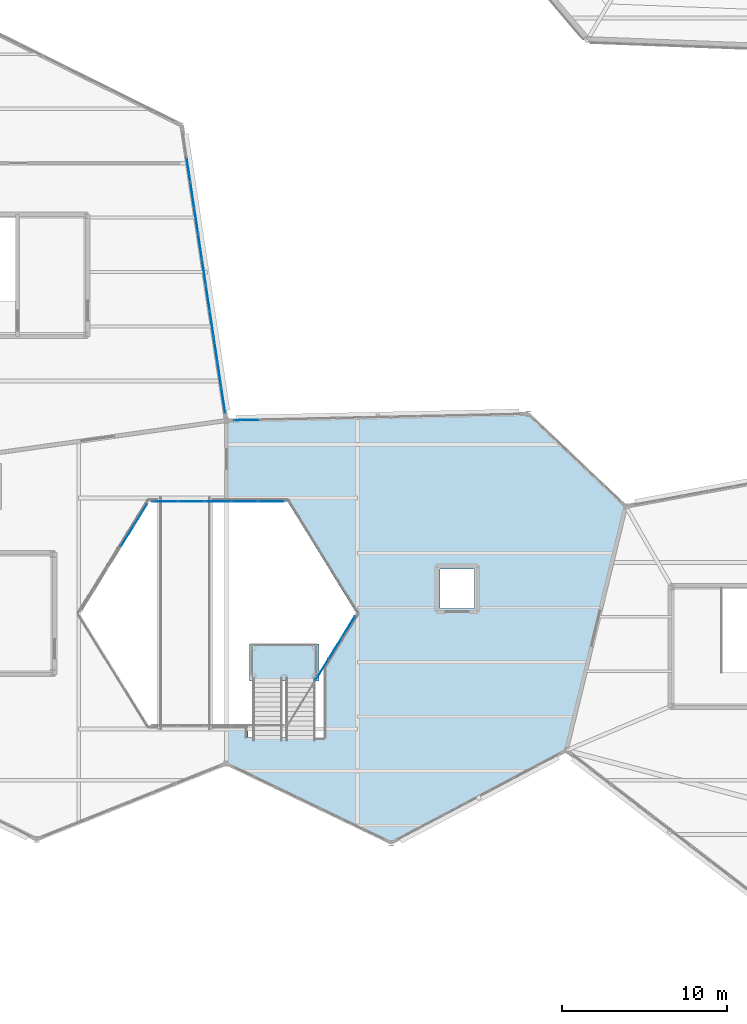
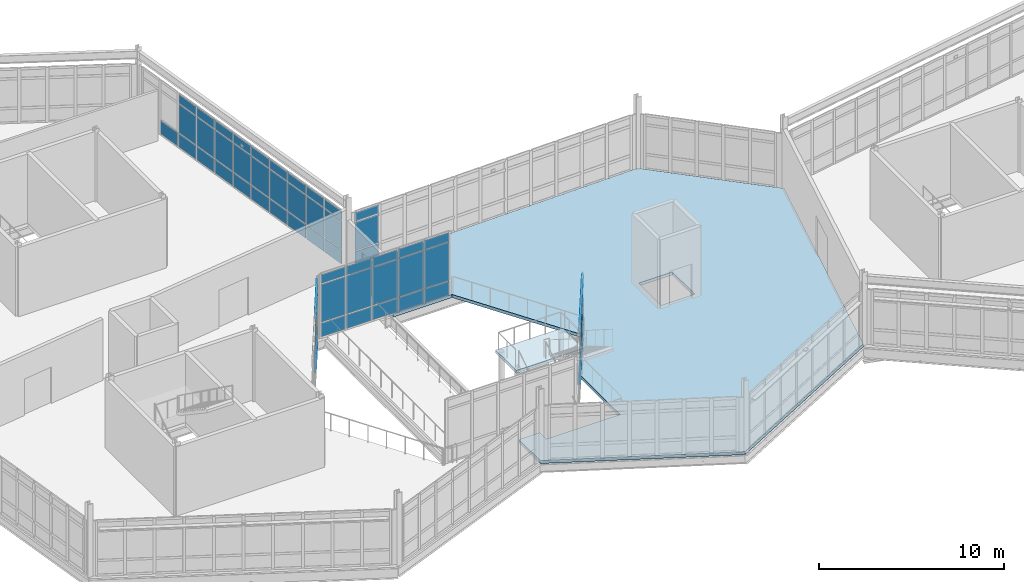
# One storey, part 48 of 76: 61 plates, 2 slabs, 6 elements without a shape of their own.
"""IFC4 building model written with IfcOpenShell, lengths in metres."""

from ifc_helpers import new_model, si_unit, direction, frame, origin, origin_2d, place, context, subcontext, project, spatial, polyline, rectangle, outline, extrude, material, layer, layer_set, type_object, element, aggregate, save


model = new_model("IFC4")

# Units and contexts
model_context = context("Model", 3, precision=1e-05, world=origin(), true_north=direction((0.0, 1.0)))
body_context = subcontext(model_context, "Body", "Model", "MODEL_VIEW")
ifc_project = project(units=[si_unit("LENGTHUNIT", "METRE"), si_unit("AREAUNIT", "SQUARE_METRE"), si_unit("VOLUMEUNIT", "CUBIC_METRE"), si_unit("PLANEANGLEUNIT", "RADIAN"), si_unit("MASSUNIT", "GRAM", prefix="KILO")], contexts=[model_context])

# Site, building, storey
site_placement = place(None, origin())
site = spatial("IfcSite", under=ifc_project, at=site_placement, CompositionType="ELEMENT")
building_placement = place(site_placement, origin())
building = spatial("IfcBuilding", under=site, at=building_placement, Name="Tameran Prism Museum", CompositionType="ELEMENT")
storey_placement = place(building_placement, frame((0.0, 0.0, 15.0)))
storey = spatial("IfcBuildingStorey", under=building, at=storey_placement, Name="L03", CompositionType="ELEMENT", Elevation=15.0)

# Curtain wall, plates
ifc_material_1 = material(Name="Anodised Aluminium 6063-T6 and Cyclone Solar Glass", Category="aluminium")
curtain_wall_type_1 = type_object("IfcCurtainWallType", Name="CW-ATR-769x424", PredefinedType="USERDEFINED", material=ifc_material_1)
curtain_wall_1_placement = place(storey_placement, origin())
curtain_wall_1 = element("IfcCurtainWall", 1, at=curtain_wall_1_placement, inside=storey, type_object=curtain_wall_type_1, Name="Unitised Curtain Wall CW-012", ObjectType="UNITISED CURTAIN WALL", PredefinedType="USERDEFINED")
ifc_material_2 = material(Name="Low-E Laminated Solar Glass", Category="glass")
ifc_layer_1 = layer(ifc_material_2, 0.028076171875)
ifc_layer_set_1 = layer_set([ifc_layer_1])
plate_type_1 = type_object("IfcPlateType", Name="CW-PNL-G28", PredefinedType="CURTAIN_PANEL", material=ifc_layer_set_1)
plate_1_placement = place(storey_placement, frame((83.300048828125, 33.10009765625, 0.06494140625), z_axis=(0.0, 0.0, 1.0), x_axis=(0.525503952357, 0.850791158897, 0.0)))
plate_1 = element("IfcPlate", 2, at=plate_1_placement, type_object=plate_type_1, Name="CW-012 panel 3.1", PredefinedType="CURTAIN_PANEL", context=body_context, shape_type="SweptSolid", body=[
    extrude(rectangle(XDim=1.473388671875, YDim=0.028076171875, at=origin_2d()), origin(), (0.0, 0.0, 1.0), 0.902587890625),
])
plate_2_placement = place(storey_placement, frame((83.300048828125, 33.10009765625, 1.032470703125), z_axis=(0.0, 0.0, 1.0), x_axis=(0.525503952357, 0.850791158897, 0.0)))
plate_2 = element("IfcPlate", 3, at=plate_2_placement, type_object=plate_type_1, Name="CW-012 panel 3.2", PredefinedType="CURTAIN_PANEL", context=body_context, shape_type="SweptSolid", body=[
    extrude(rectangle(XDim=1.473388671875, YDim=0.028076171875, at=origin_2d()), origin(), (0.0, 0.0, 1.0), 2.4951171875),
])
plate_3_placement = place(storey_placement, frame((83.300048828125, 33.10009765625, 3.592529296875), z_axis=(0.0, 0.0, 1.0), x_axis=(0.525503952357, 0.850791158897, 0.0)))
plate_3 = element("IfcPlate", 4, at=plate_3_placement, type_object=plate_type_1, Name="CW-012 panel 3.3", PredefinedType="CURTAIN_PANEL", context=body_context, shape_type="SweptSolid", body=[
    extrude(rectangle(XDim=1.473388671875, YDim=0.028076171875, at=origin_2d()), origin(), (0.0, 0.0, 1.0), 0.58251953125),
])
plate_4_placement = place(storey_placement, frame((84.1083984375, 34.40869140625, 0.06494140625), z_axis=(0.0, 0.0, 1.0), x_axis=(0.525503952357, 0.850791158897, 0.0)))
plate_4 = element("IfcPlate", 5, at=plate_4_placement, type_object=plate_type_1, Name="CW-012 panel 4.1", PredefinedType="CURTAIN_PANEL", context=body_context, shape_type="SweptSolid", body=[
    extrude(rectangle(XDim=1.473388671875, YDim=0.028076171875, at=origin_2d()), origin(), (0.0, 0.0, 1.0), 0.902587890625),
])
plate_5_placement = place(storey_placement, frame((84.1083984375, 34.40869140625, 1.032470703125), z_axis=(0.0, 0.0, 1.0), x_axis=(0.525503952357, 0.850791158897, 0.0)))
plate_5 = element("IfcPlate", 6, at=plate_5_placement, type_object=plate_type_1, Name="CW-012 panel 4.2", PredefinedType="CURTAIN_PANEL", context=body_context, shape_type="SweptSolid", body=[
    extrude(rectangle(XDim=1.473388671875, YDim=0.028076171875, at=origin_2d()), origin(), (0.0, 0.0, 1.0), 2.4951171875),
])
plate_6_placement = place(storey_placement, frame((84.1083984375, 34.40869140625, 3.592529296875), z_axis=(0.0, 0.0, 1.0), x_axis=(0.525503952357, 0.850791158897, 0.0)))
plate_6 = element("IfcPlate", 7, at=plate_6_placement, type_object=plate_type_1, Name="CW-012 panel 4.3", PredefinedType="CURTAIN_PANEL", context=body_context, shape_type="SweptSolid", body=[
    extrude(rectangle(XDim=1.473388671875, YDim=0.028076171875, at=origin_2d()), origin(), (0.0, 0.0, 1.0), 0.58251953125),
])
plate_7_placement = place(storey_placement, frame((84.908203125, 35.703857421875, 0.06494140625), z_axis=(0.0, 0.0, 1.0), x_axis=(0.525503952357, 0.850791158897, 0.0)))
plate_7 = element("IfcPlate", 8, at=plate_7_placement, type_object=plate_type_1, Name="CW-012 panel 5.1", PredefinedType="CURTAIN_PANEL", context=body_context, shape_type="SweptSolid", body=[
    extrude(rectangle(XDim=1.44091796875, YDim=0.028076171875, at=origin_2d()), origin(), (0.0, 0.0, 1.0), 0.902587890625),
])
plate_8_placement = place(storey_placement, frame((84.908203125, 35.703857421875, 1.032470703125), z_axis=(0.0, 0.0, 1.0), x_axis=(0.525503952357, 0.850791158897, 0.0)))
plate_8 = element("IfcPlate", 9, at=plate_8_placement, type_object=plate_type_1, Name="CW-012 panel 5.2", PredefinedType="CURTAIN_PANEL", context=body_context, shape_type="SweptSolid", body=[
    extrude(rectangle(XDim=1.44091796875, YDim=0.028076171875, at=origin_2d()), origin(), (0.0, 0.0, 1.0), 2.4951171875),
])
plate_9_placement = place(storey_placement, frame((84.908203125, 35.703857421875, 3.592529296875), z_axis=(0.0, 0.0, 1.0), x_axis=(0.525503952357, 0.850791158897, 0.0)))
plate_9 = element("IfcPlate", 10, at=plate_9_placement, type_object=plate_type_1, Name="CW-012 panel 5.3", PredefinedType="CURTAIN_PANEL", context=body_context, shape_type="SweptSolid", body=[
    extrude(rectangle(XDim=1.44091796875, YDim=0.028076171875, at=origin_2d()), origin(), (0.0, 0.0, 1.0), 0.58251953125),
])
aggregate(curtain_wall_1, [plate_1, plate_2, plate_3, plate_4, plate_5, plate_6, plate_7, plate_8, plate_9])

ifc_material_3 = material(Name="Anodised Aluminium 6063-T6 and Cyclone Solar Glass", Category="aluminium")
curtain_wall_type_2 = type_object("IfcCurtainWallType", Name="CW-ATR-810x424", PredefinedType="USERDEFINED", material=ifc_material_3)
curtain_wall_2_placement = place(storey_placement, origin())
curtain_wall_2 = element("IfcCurtainWall", 11, at=curtain_wall_2_placement, inside=storey, type_object=curtain_wall_type_2, Name="Unitised Curtain Wall CW-013", ObjectType="UNITISED CURTAIN WALL", PredefinedType="USERDEFINED")
plate_10_placement = place(storey_placement, frame((80.2236328125, 43.300048828125, 0.06494140625), z_axis=(0.0, 0.0, 1.0), x_axis=(-1.0, 0.0, 0.0)))
plate_10 = element("IfcPlate", 12, at=plate_10_placement, type_object=plate_type_1, Name="CW-013 panel 1.1", PredefinedType="CURTAIN_PANEL", context=body_context, shape_type="SweptSolid", body=[
    extrude(rectangle(XDim=1.5224609375, YDim=0.028076171875, at=origin_2d()), origin(), (0.0, 0.0, 1.0), 0.902587890625),
])
plate_11_placement = place(storey_placement, frame((80.2236328125, 43.300048828125, 1.032470703125), z_axis=(0.0, 0.0, 1.0), x_axis=(-1.0, 0.0, 0.0)))
plate_11 = element("IfcPlate", 13, at=plate_11_placement, type_object=plate_type_1, Name="CW-013 panel 1.2", PredefinedType="CURTAIN_PANEL", context=body_context, shape_type="SweptSolid", body=[
    extrude(rectangle(XDim=1.5224609375, YDim=0.028076171875, at=origin_2d()), origin(), (0.0, 0.0, 1.0), 2.4951171875),
])
plate_12_placement = place(storey_placement, frame((80.2236328125, 43.300048828125, 3.592529296875), z_axis=(0.0, 0.0, 1.0), x_axis=(-1.0, 0.0, 0.0)))
plate_12 = element("IfcPlate", 14, at=plate_12_placement, type_object=plate_type_1, Name="CW-013 panel 1.3", PredefinedType="CURTAIN_PANEL", context=body_context, shape_type="SweptSolid", body=[
    extrude(rectangle(XDim=1.5224609375, YDim=0.028076171875, at=origin_2d()), origin(), (0.0, 0.0, 1.0), 0.58251953125),
])
plate_13_placement = place(storey_placement, frame((78.6201171875, 43.300048828125, 0.06494140625), z_axis=(0.0, 0.0, 1.0), x_axis=(-1.0, 0.0, 0.0)))
plate_13 = element("IfcPlate", 15, at=plate_13_placement, type_object=plate_type_1, Name="CW-013 panel 2.1", PredefinedType="CURTAIN_PANEL", context=body_context, shape_type="SweptSolid", body=[
    extrude(rectangle(XDim=1.554931640625, YDim=0.028076171875, at=origin_2d()), origin(), (0.0, 0.0, 1.0), 0.902587890625),
])
plate_14_placement = place(storey_placement, frame((78.6201171875, 43.300048828125, 1.032470703125), z_axis=(0.0, 0.0, 1.0), x_axis=(-1.0, 0.0, 0.0)))
plate_14 = element("IfcPlate", 16, at=plate_14_placement, type_object=plate_type_1, Name="CW-013 panel 2.2", PredefinedType="CURTAIN_PANEL", context=body_context, shape_type="SweptSolid", body=[
    extrude(rectangle(XDim=1.554931640625, YDim=0.028076171875, at=origin_2d()), origin(), (0.0, 0.0, 1.0), 2.4951171875),
])
plate_15_placement = place(storey_placement, frame((78.6201171875, 43.300048828125, 3.592529296875), z_axis=(0.0, 0.0, 1.0), x_axis=(-1.0, 0.0, 0.0)))
plate_15 = element("IfcPlate", 17, at=plate_15_placement, type_object=plate_type_1, Name="CW-013 panel 2.3", PredefinedType="CURTAIN_PANEL", context=body_context, shape_type="SweptSolid", body=[
    extrude(rectangle(XDim=1.554931640625, YDim=0.028076171875, at=origin_2d()), origin(), (0.0, 0.0, 1.0), 0.58251953125),
])
plate_16_placement = place(storey_placement, frame((77.0, 43.300048828125, 0.06494140625), z_axis=(0.0, 0.0, 1.0), x_axis=(-1.0, 0.0, 0.0)))
plate_16 = element("IfcPlate", 18, at=plate_16_placement, type_object=plate_type_1, Name="CW-013 panel 3.1", PredefinedType="CURTAIN_PANEL", context=body_context, shape_type="SweptSolid", body=[
    extrude(rectangle(XDim=1.554931640625, YDim=0.028076171875, at=origin_2d()), origin(), (0.0, 0.0, 1.0), 0.902587890625),
])
plate_17_placement = place(storey_placement, frame((77.0, 43.300048828125, 1.032470703125), z_axis=(0.0, 0.0, 1.0), x_axis=(-1.0, 0.0, 0.0)))
plate_17 = element("IfcPlate", 19, at=plate_17_placement, type_object=plate_type_1, Name="CW-013 panel 3.2", PredefinedType="CURTAIN_PANEL", context=body_context, shape_type="SweptSolid", body=[
    extrude(rectangle(XDim=1.554931640625, YDim=0.028076171875, at=origin_2d()), origin(), (0.0, 0.0, 1.0), 2.4951171875),
])
plate_18_placement = place(storey_placement, frame((77.0, 43.300048828125, 3.592529296875), z_axis=(0.0, 0.0, 1.0), x_axis=(-1.0, 0.0, 0.0)))
plate_18 = element("IfcPlate", 20, at=plate_18_placement, type_object=plate_type_1, Name="CW-013 panel 3.3", PredefinedType="CURTAIN_PANEL", context=body_context, shape_type="SweptSolid", body=[
    extrude(rectangle(XDim=1.554931640625, YDim=0.028076171875, at=origin_2d()), origin(), (0.0, 0.0, 1.0), 0.58251953125),
])
plate_19_placement = place(storey_placement, frame((75.3798828125, 43.300048828125, 0.06494140625), z_axis=(0.0, 0.0, 1.0), x_axis=(-1.0, 0.0, 0.0)))
plate_19 = element("IfcPlate", 21, at=plate_19_placement, type_object=plate_type_1, Name="CW-013 panel 4.1", PredefinedType="CURTAIN_PANEL", context=body_context, shape_type="SweptSolid", body=[
    extrude(rectangle(XDim=1.554931640625, YDim=0.028076171875, at=origin_2d()), origin(), (0.0, 0.0, 1.0), 0.902587890625),
])
plate_20_placement = place(storey_placement, frame((75.3798828125, 43.300048828125, 1.032470703125), z_axis=(0.0, 0.0, 1.0), x_axis=(-1.0, 0.0, 0.0)))
plate_20 = element("IfcPlate", 22, at=plate_20_placement, type_object=plate_type_1, Name="CW-013 panel 4.2", PredefinedType="CURTAIN_PANEL", context=body_context, shape_type="SweptSolid", body=[
    extrude(rectangle(XDim=1.554931640625, YDim=0.028076171875, at=origin_2d()), origin(), (0.0, 0.0, 1.0), 2.4951171875),
])
plate_21_placement = place(storey_placement, frame((75.3798828125, 43.300048828125, 3.592529296875), z_axis=(0.0, 0.0, 1.0), x_axis=(-1.0, 0.0, 0.0)))
plate_21 = element("IfcPlate", 23, at=plate_21_placement, type_object=plate_type_1, Name="CW-013 panel 4.3", PredefinedType="CURTAIN_PANEL", context=body_context, shape_type="SweptSolid", body=[
    extrude(rectangle(XDim=1.554931640625, YDim=0.028076171875, at=origin_2d()), origin(), (0.0, 0.0, 1.0), 0.58251953125),
])
plate_22_placement = place(storey_placement, frame((73.7763671875, 43.300048828125, 0.06494140625), z_axis=(0.0, 0.0, 1.0), x_axis=(-1.0, 0.0, 0.0)))
plate_22 = element("IfcPlate", 24, at=plate_22_placement, type_object=plate_type_1, Name="CW-013 panel 5.1", PredefinedType="CURTAIN_PANEL", context=body_context, shape_type="SweptSolid", body=[
    extrude(rectangle(XDim=1.5224609375, YDim=0.028076171875, at=origin_2d()), origin(), (0.0, 0.0, 1.0), 0.902587890625),
])
plate_23_placement = place(storey_placement, frame((73.7763671875, 43.300048828125, 1.032470703125), z_axis=(0.0, 0.0, 1.0), x_axis=(-1.0, 0.0, 0.0)))
plate_23 = element("IfcPlate", 25, at=plate_23_placement, type_object=plate_type_1, Name="CW-013 panel 5.2", PredefinedType="CURTAIN_PANEL", context=body_context, shape_type="SweptSolid", body=[
    extrude(rectangle(XDim=1.5224609375, YDim=0.028076171875, at=origin_2d()), origin(), (0.0, 0.0, 1.0), 2.4951171875),
])
plate_24_placement = place(storey_placement, frame((73.7763671875, 43.300048828125, 3.592529296875), z_axis=(0.0, 0.0, 1.0), x_axis=(-1.0, 0.0, 0.0)))
plate_24 = element("IfcPlate", 26, at=plate_24_placement, type_object=plate_type_1, Name="CW-013 panel 5.3", PredefinedType="CURTAIN_PANEL", context=body_context, shape_type="SweptSolid", body=[
    extrude(rectangle(XDim=1.5224609375, YDim=0.028076171875, at=origin_2d()), origin(), (0.0, 0.0, 1.0), 0.58251953125),
])
aggregate(curtain_wall_2, [plate_10, plate_11, plate_12, plate_13, plate_14, plate_15, plate_16, plate_17, plate_18, plate_19, plate_20, plate_21, plate_22, plate_23, plate_24])

curtain_wall_3_placement = place(storey_placement, origin())
curtain_wall_3 = element("IfcCurtainWall", 27, at=curtain_wall_3_placement, inside=storey, type_object=curtain_wall_type_1, Name="Unitised Curtain Wall CW-014", ObjectType="UNITISED CURTAIN WALL", PredefinedType="USERDEFINED")
plate_25_placement = place(storey_placement, frame((72.308349609375, 42.503662109375, 0.06494140625), z_axis=(0.0, 0.0, 1.0), x_axis=(-0.525503952357, -0.850791158897, 0.0)))
plate_25 = element("IfcPlate", 28, at=plate_25_placement, type_object=plate_type_1, Name="CW-014 panel 1.1", PredefinedType="CURTAIN_PANEL", context=body_context, shape_type="SweptSolid", body=[
    extrude(rectangle(XDim=1.44091796875, YDim=0.028076171875, at=origin_2d()), origin(), (0.0, 0.0, 1.0), 0.902587890625),
])
plate_26_placement = place(storey_placement, frame((72.308349609375, 42.503662109375, 1.032470703125), z_axis=(0.0, 0.0, 1.0), x_axis=(-0.525503952357, -0.850791158897, 0.0)))
plate_26 = element("IfcPlate", 29, at=plate_26_placement, type_object=plate_type_1, Name="CW-014 panel 1.2", PredefinedType="CURTAIN_PANEL", context=body_context, shape_type="SweptSolid", body=[
    extrude(rectangle(XDim=1.44091796875, YDim=0.028076171875, at=origin_2d()), origin(), (0.0, 0.0, 1.0), 2.4951171875),
])
plate_27_placement = place(storey_placement, frame((72.308349609375, 42.503662109375, 3.592529296875), z_axis=(0.0, 0.0, 1.0), x_axis=(-0.525503952357, -0.850791158897, 0.0)))
plate_27 = element("IfcPlate", 30, at=plate_27_placement, type_object=plate_type_1, Name="CW-014 panel 1.3", PredefinedType="CURTAIN_PANEL", context=body_context, shape_type="SweptSolid", body=[
    extrude(rectangle(XDim=1.44091796875, YDim=0.028076171875, at=origin_2d()), origin(), (0.0, 0.0, 1.0), 0.58251953125),
])
plate_28_placement = place(storey_placement, frame((71.50830078125, 41.208740234375, 0.06494140625), z_axis=(0.0, 0.0, 1.0), x_axis=(-0.525503952357, -0.850791158897, 0.0)))
plate_28 = element("IfcPlate", 31, at=plate_28_placement, type_object=plate_type_1, Name="CW-014 panel 2.1", PredefinedType="CURTAIN_PANEL", context=body_context, shape_type="SweptSolid", body=[
    extrude(rectangle(XDim=1.473388671875, YDim=0.028076171875, at=origin_2d()), origin(), (0.0, 0.0, 1.0), 0.902587890625),
])
plate_29_placement = place(storey_placement, frame((71.50830078125, 41.208740234375, 1.032470703125), z_axis=(0.0, 0.0, 1.0), x_axis=(-0.525503952357, -0.850791158897, 0.0)))
plate_29 = element("IfcPlate", 32, at=plate_29_placement, type_object=plate_type_1, Name="CW-014 panel 2.2", PredefinedType="CURTAIN_PANEL", context=body_context, shape_type="SweptSolid", body=[
    extrude(rectangle(XDim=1.473388671875, YDim=0.028076171875, at=origin_2d()), origin(), (0.0, 0.0, 1.0), 2.4951171875),
])
plate_30_placement = place(storey_placement, frame((71.50830078125, 41.208740234375, 3.592529296875), z_axis=(0.0, 0.0, 1.0), x_axis=(-0.525503952357, -0.850791158897, 0.0)))
plate_30 = element("IfcPlate", 33, at=plate_30_placement, type_object=plate_type_1, Name="CW-014 panel 2.3", PredefinedType="CURTAIN_PANEL", context=body_context, shape_type="SweptSolid", body=[
    extrude(rectangle(XDim=1.473388671875, YDim=0.028076171875, at=origin_2d()), origin(), (0.0, 0.0, 1.0), 0.58251953125),
])
aggregate(curtain_wall_3, [plate_25, plate_26, plate_27, plate_28, plate_29, plate_30])

ifc_material_4 = material(Name="Anodised Aluminium 6063-T6 and Cyclone Solar Glass", Category="aluminium")
curtain_wall_type_3 = type_object("IfcCurtainWallType", Name="CW-FAC-1734x362", PredefinedType="USERDEFINED", material=ifc_material_4)
curtain_wall_4_placement = place(storey_placement, origin())
curtain_wall_4 = element("IfcCurtainWall", 34, at=curtain_wall_4_placement, inside=storey, type_object=curtain_wall_type_3, Name="Unitised Curtain Wall CW-143", ObjectType="UNITISED CURTAIN WALL", PredefinedType="USERDEFINED")
plate_31_placement = place(storey_placement, frame((75.204833984375, 63.41552734375, 0.06494140625), z_axis=(0.0, 0.0, 1.0), x_axis=(0.149166532852, -0.988812088052, 0.0)))
plate_31 = element("IfcPlate", 35, at=plate_31_placement, type_object=plate_type_1, Name="CW-143 panel 2.1", PredefinedType="CURTAIN_PANEL", context=body_context, shape_type="SweptSolid", body=[
    extrude(rectangle(XDim=1.51171875, YDim=0.028076171875, at=origin_2d()), origin(), (0.0, 0.0, 1.0), 0.902587890625),
])
plate_32_placement = place(storey_placement, frame((75.43994140625, 61.8564453125, 0.06494140625), z_axis=(0.0, 0.0, 1.0), x_axis=(0.149166532852, -0.988812088052, 0.0)))
plate_32 = element("IfcPlate", 36, at=plate_32_placement, type_object=plate_type_1, Name="CW-143 panel 3.1", PredefinedType="CURTAIN_PANEL", context=body_context, shape_type="SweptSolid", body=[
    extrude(rectangle(XDim=1.51171875, YDim=0.028076171875, at=origin_2d()), origin(), (0.0, 0.0, 1.0), 0.902587890625),
])
plate_33_placement = place(storey_placement, frame((75.43994140625, 61.8564453125, 1.032470703125), z_axis=(0.0, 0.0, 1.0), x_axis=(0.149166532852, -0.988812088052, 0.0)))
plate_33 = element("IfcPlate", 37, at=plate_33_placement, type_object=plate_type_1, Name="CW-143 panel 3.2", PredefinedType="CURTAIN_PANEL", context=body_context, shape_type="SweptSolid", body=[
    extrude(rectangle(XDim=1.51171875, YDim=0.028076171875, at=origin_2d()), origin(), (0.0, 0.0, 1.0), 1.875),
])
plate_34_placement = place(storey_placement, frame((75.43994140625, 61.8564453125, 2.972412109375), z_axis=(0.0, 0.0, 1.0), x_axis=(0.149166532852, -0.988812088052, 0.0)))
plate_34 = element("IfcPlate", 38, at=plate_34_placement, type_object=plate_type_1, Name="CW-143 panel 3.3", PredefinedType="CURTAIN_PANEL", context=body_context, shape_type="SweptSolid", body=[
    extrude(rectangle(XDim=1.51171875, YDim=0.028076171875, at=origin_2d()), origin(), (0.0, 0.0, 1.0), 0.58251953125),
])
plate_35_placement = place(storey_placement, frame((75.675048828125, 60.297607421875, 0.06494140625), z_axis=(0.0, 0.0, 1.0), x_axis=(0.149166532852, -0.988812088052, 0.0)))
plate_35 = element("IfcPlate", 39, at=plate_35_placement, type_object=plate_type_1, Name="CW-143 panel 4.1", PredefinedType="CURTAIN_PANEL", context=body_context, shape_type="SweptSolid", body=[
    extrude(rectangle(XDim=1.51171875, YDim=0.028076171875, at=origin_2d()), origin(), (0.0, 0.0, 1.0), 0.902587890625),
])
plate_36_placement = place(storey_placement, frame((75.675048828125, 60.297607421875, 1.032470703125), z_axis=(0.0, 0.0, 1.0), x_axis=(0.149166532852, -0.988812088052, 0.0)))
plate_36 = element("IfcPlate", 40, at=plate_36_placement, type_object=plate_type_1, Name="CW-143 panel 4.2", PredefinedType="CURTAIN_PANEL", context=body_context, shape_type="SweptSolid", body=[
    extrude(rectangle(XDim=1.51171875, YDim=0.028076171875, at=origin_2d()), origin(), (0.0, 0.0, 1.0), 1.875),
])
plate_37_placement = place(storey_placement, frame((75.675048828125, 60.297607421875, 2.972412109375), z_axis=(0.0, 0.0, 1.0), x_axis=(0.149166532852, -0.988812088052, 0.0)))
plate_37 = element("IfcPlate", 41, at=plate_37_placement, type_object=plate_type_1, Name="CW-143 panel 4.3", PredefinedType="CURTAIN_PANEL", context=body_context, shape_type="SweptSolid", body=[
    extrude(rectangle(XDim=1.51171875, YDim=0.028076171875, at=origin_2d()), origin(), (0.0, 0.0, 1.0), 0.58251953125),
])
plate_38_placement = place(storey_placement, frame((75.910400390625, 58.738525390625, 0.06494140625), z_axis=(0.0, 0.0, 1.0), x_axis=(0.149166532852, -0.988812088052, 0.0)))
plate_38 = element("IfcPlate", 42, at=plate_38_placement, type_object=plate_type_1, Name="CW-143 panel 5.1", PredefinedType="CURTAIN_PANEL", context=body_context, shape_type="SweptSolid", body=[
    extrude(rectangle(XDim=1.51171875, YDim=0.028076171875, at=origin_2d()), origin(), (0.0, 0.0, 1.0), 0.902587890625),
])
plate_39_placement = place(storey_placement, frame((75.910400390625, 58.738525390625, 1.032470703125), z_axis=(0.0, 0.0, 1.0), x_axis=(0.149166532852, -0.988812088052, 0.0)))
plate_39 = element("IfcPlate", 43, at=plate_39_placement, type_object=plate_type_1, Name="CW-143 panel 5.2", PredefinedType="CURTAIN_PANEL", context=body_context, shape_type="SweptSolid", body=[
    extrude(rectangle(XDim=1.51171875, YDim=0.028076171875, at=origin_2d()), origin(), (0.0, 0.0, 1.0), 1.875),
])
plate_40_placement = place(storey_placement, frame((75.910400390625, 58.738525390625, 2.972412109375), z_axis=(0.0, 0.0, 1.0), x_axis=(0.149166532852, -0.988812088052, 0.0)))
plate_40 = element("IfcPlate", 44, at=plate_40_placement, type_object=plate_type_1, Name="CW-143 panel 5.3", PredefinedType="CURTAIN_PANEL", context=body_context, shape_type="SweptSolid", body=[
    extrude(rectangle(XDim=1.51171875, YDim=0.028076171875, at=origin_2d()), origin(), (0.0, 0.0, 1.0), 0.58251953125),
])
plate_41_placement = place(storey_placement, frame((76.1455078125, 57.179443359375, 0.06494140625), z_axis=(0.0, 0.0, 1.0), x_axis=(0.149166532852, -0.988812088052, 0.0)))
plate_41 = element("IfcPlate", 45, at=plate_41_placement, type_object=plate_type_1, Name="CW-143 panel 6.1", PredefinedType="CURTAIN_PANEL", context=body_context, shape_type="SweptSolid", body=[
    extrude(rectangle(XDim=1.51171875, YDim=0.028076171875, at=origin_2d()), origin(), (0.0, 0.0, 1.0), 0.902587890625),
])
plate_42_placement = place(storey_placement, frame((76.1455078125, 57.179443359375, 1.032470703125), z_axis=(0.0, 0.0, 1.0), x_axis=(0.149166532852, -0.988812088052, 0.0)))
plate_42 = element("IfcPlate", 46, at=plate_42_placement, type_object=plate_type_1, Name="CW-143 panel 6.2", PredefinedType="CURTAIN_PANEL", context=body_context, shape_type="SweptSolid", body=[
    extrude(rectangle(XDim=1.51171875, YDim=0.028076171875, at=origin_2d()), origin(), (0.0, 0.0, 1.0), 1.875),
])
plate_43_placement = place(storey_placement, frame((76.1455078125, 57.179443359375, 2.972412109375), z_axis=(0.0, 0.0, 1.0), x_axis=(0.149166532852, -0.988812088052, 0.0)))
plate_43 = element("IfcPlate", 47, at=plate_43_placement, type_object=plate_type_1, Name="CW-143 panel 6.3", PredefinedType="CURTAIN_PANEL", context=body_context, shape_type="SweptSolid", body=[
    extrude(rectangle(XDim=1.51171875, YDim=0.028076171875, at=origin_2d()), origin(), (0.0, 0.0, 1.0), 0.58251953125),
])
plate_44_placement = place(storey_placement, frame((76.380615234375, 55.62060546875, 0.06494140625), z_axis=(0.0, 0.0, 1.0), x_axis=(0.149166532852, -0.988812088052, 0.0)))
plate_44 = element("IfcPlate", 48, at=plate_44_placement, type_object=plate_type_1, Name="CW-143 panel 7.1", PredefinedType="CURTAIN_PANEL", context=body_context, shape_type="SweptSolid", body=[
    extrude(rectangle(XDim=1.51171875, YDim=0.028076171875, at=origin_2d()), origin(), (0.0, 0.0, 1.0), 0.902587890625),
])
plate_45_placement = place(storey_placement, frame((76.380615234375, 55.62060546875, 1.032470703125), z_axis=(0.0, 0.0, 1.0), x_axis=(0.149166532852, -0.988812088052, 0.0)))
plate_45 = element("IfcPlate", 49, at=plate_45_placement, type_object=plate_type_1, Name="CW-143 panel 7.2", PredefinedType="CURTAIN_PANEL", context=body_context, shape_type="SweptSolid", body=[
    extrude(rectangle(XDim=1.51171875, YDim=0.028076171875, at=origin_2d()), origin(), (0.0, 0.0, 1.0), 1.875),
])
plate_46_placement = place(storey_placement, frame((76.380615234375, 55.62060546875, 2.972412109375), z_axis=(0.0, 0.0, 1.0), x_axis=(0.149166532852, -0.988812088052, 0.0)))
plate_46 = element("IfcPlate", 50, at=plate_46_placement, type_object=plate_type_1, Name="CW-143 panel 7.3", PredefinedType="CURTAIN_PANEL", context=body_context, shape_type="SweptSolid", body=[
    extrude(rectangle(XDim=1.51171875, YDim=0.028076171875, at=origin_2d()), origin(), (0.0, 0.0, 1.0), 0.58251953125),
])
plate_47_placement = place(storey_placement, frame((76.615966796875, 54.0615234375, 0.06494140625), z_axis=(0.0, 0.0, 1.0), x_axis=(0.149166532852, -0.988812088052, 0.0)))
plate_47 = element("IfcPlate", 51, at=plate_47_placement, type_object=plate_type_1, Name="CW-143 panel 8.1", PredefinedType="CURTAIN_PANEL", context=body_context, shape_type="SweptSolid", body=[
    extrude(rectangle(XDim=1.51171875, YDim=0.028076171875, at=origin_2d()), origin(), (0.0, 0.0, 1.0), 0.902587890625),
])
plate_48_placement = place(storey_placement, frame((76.615966796875, 54.0615234375, 1.032470703125), z_axis=(0.0, 0.0, 1.0), x_axis=(0.149166532852, -0.988812088052, 0.0)))
plate_48 = element("IfcPlate", 52, at=plate_48_placement, type_object=plate_type_1, Name="CW-143 panel 8.2", PredefinedType="CURTAIN_PANEL", context=body_context, shape_type="SweptSolid", body=[
    extrude(rectangle(XDim=1.51171875, YDim=0.028076171875, at=origin_2d()), origin(), (0.0, 0.0, 1.0), 1.875),
])
plate_49_placement = place(storey_placement, frame((76.615966796875, 54.0615234375, 2.972412109375), z_axis=(0.0, 0.0, 1.0), x_axis=(0.149166532852, -0.988812088052, 0.0)))
plate_49 = element("IfcPlate", 53, at=plate_49_placement, type_object=plate_type_1, Name="CW-143 panel 8.3", PredefinedType="CURTAIN_PANEL", context=body_context, shape_type="SweptSolid", body=[
    extrude(rectangle(XDim=1.51171875, YDim=0.028076171875, at=origin_2d()), origin(), (0.0, 0.0, 1.0), 0.58251953125),
])
plate_50_placement = place(storey_placement, frame((76.85107421875, 52.50244140625, 0.06494140625), z_axis=(0.0, 0.0, 1.0), x_axis=(0.149166532852, -0.988812088052, 0.0)))
plate_50 = element("IfcPlate", 54, at=plate_50_placement, type_object=plate_type_1, Name="CW-143 panel 9.1", PredefinedType="CURTAIN_PANEL", context=body_context, shape_type="SweptSolid", body=[
    extrude(rectangle(XDim=1.51171875, YDim=0.028076171875, at=origin_2d()), origin(), (0.0, 0.0, 1.0), 0.902587890625),
])
plate_51_placement = place(storey_placement, frame((76.85107421875, 52.50244140625, 1.032470703125), z_axis=(0.0, 0.0, 1.0), x_axis=(0.149166532852, -0.988812088052, 0.0)))
plate_51 = element("IfcPlate", 55, at=plate_51_placement, type_object=plate_type_1, Name="CW-143 panel 9.2", PredefinedType="CURTAIN_PANEL", context=body_context, shape_type="SweptSolid", body=[
    extrude(rectangle(XDim=1.51171875, YDim=0.028076171875, at=origin_2d()), origin(), (0.0, 0.0, 1.0), 1.875),
])
plate_52_placement = place(storey_placement, frame((76.85107421875, 52.50244140625, 2.972412109375), z_axis=(0.0, 0.0, 1.0), x_axis=(0.149166532852, -0.988812088052, 0.0)))
plate_52 = element("IfcPlate", 56, at=plate_52_placement, type_object=plate_type_1, Name="CW-143 panel 9.3", PredefinedType="CURTAIN_PANEL", context=body_context, shape_type="SweptSolid", body=[
    extrude(rectangle(XDim=1.51171875, YDim=0.028076171875, at=origin_2d()), origin(), (0.0, 0.0, 1.0), 0.58251953125),
])
plate_53_placement = place(storey_placement, frame((77.086181640625, 50.943603515625, 0.06494140625), z_axis=(0.0, 0.0, 1.0), x_axis=(0.149166532852, -0.988812088052, 0.0)))
plate_53 = element("IfcPlate", 57, at=plate_53_placement, type_object=plate_type_1, Name="CW-143 panel 10.1", PredefinedType="CURTAIN_PANEL", context=body_context, shape_type="SweptSolid", body=[
    extrude(rectangle(XDim=1.51171875, YDim=0.028076171875, at=origin_2d()), origin(), (0.0, 0.0, 1.0), 0.902587890625),
])
plate_54_placement = place(storey_placement, frame((77.086181640625, 50.943603515625, 1.032470703125), z_axis=(0.0, 0.0, 1.0), x_axis=(0.149166532852, -0.988812088052, 0.0)))
plate_54 = element("IfcPlate", 58, at=plate_54_placement, type_object=plate_type_1, Name="CW-143 panel 10.2", PredefinedType="CURTAIN_PANEL", context=body_context, shape_type="SweptSolid", body=[
    extrude(rectangle(XDim=1.51171875, YDim=0.028076171875, at=origin_2d()), origin(), (0.0, 0.0, 1.0), 1.875),
])
plate_55_placement = place(storey_placement, frame((77.086181640625, 50.943603515625, 2.972412109375), z_axis=(0.0, 0.0, 1.0), x_axis=(0.149166532852, -0.988812088052, 0.0)))
plate_55 = element("IfcPlate", 59, at=plate_55_placement, type_object=plate_type_1, Name="CW-143 panel 10.3", PredefinedType="CURTAIN_PANEL", context=body_context, shape_type="SweptSolid", body=[
    extrude(rectangle(XDim=1.51171875, YDim=0.028076171875, at=origin_2d()), origin(), (0.0, 0.0, 1.0), 0.58251953125),
])
plate_56_placement = place(storey_placement, frame((77.319091796875, 49.400634765625, 0.06494140625), z_axis=(0.0, 0.0, 1.0), x_axis=(0.149166532852, -0.988812088052, 0.0)))
plate_56 = element("IfcPlate", 60, at=plate_56_placement, type_object=plate_type_1, Name="CW-143 panel 11.1", PredefinedType="CURTAIN_PANEL", context=body_context, shape_type="SweptSolid", body=[
    extrude(rectangle(XDim=1.479248046875, YDim=0.028076171875, at=origin_2d()), origin(), (0.0, 0.0, 1.0), 0.902587890625),
])
plate_57_placement = place(storey_placement, frame((77.319091796875, 49.400634765625, 1.032470703125), z_axis=(0.0, 0.0, 1.0), x_axis=(0.149166532852, -0.988812088052, 0.0)))
plate_57 = element("IfcPlate", 61, at=plate_57_placement, type_object=plate_type_1, Name="CW-143 panel 11.2", PredefinedType="CURTAIN_PANEL", context=body_context, shape_type="SweptSolid", body=[
    extrude(rectangle(XDim=1.479248046875, YDim=0.028076171875, at=origin_2d()), origin(), (0.0, 0.0, 1.0), 1.875),
])
plate_58_placement = place(storey_placement, frame((77.319091796875, 49.400634765625, 2.972412109375), z_axis=(0.0, 0.0, 1.0), x_axis=(0.149166532852, -0.988812088052, 0.0)))
plate_58 = element("IfcPlate", 62, at=plate_58_placement, type_object=plate_type_1, Name="CW-143 panel 11.3", PredefinedType="CURTAIN_PANEL", context=body_context, shape_type="SweptSolid", body=[
    extrude(rectangle(XDim=1.479248046875, YDim=0.028076171875, at=origin_2d()), origin(), (0.0, 0.0, 1.0), 0.58251953125),
])
aggregate(curtain_wall_4, [plate_31, plate_32, plate_33, plate_34, plate_35, plate_36, plate_37, plate_38, plate_39, plate_40, plate_41, plate_42, plate_43, plate_44, plate_45, plate_46, plate_47, plate_48, plate_49, plate_50, plate_51, plate_52, plate_53, plate_54, plate_55, plate_56, plate_57, plate_58])

ifc_material_5 = material(Name="Anodised Aluminium 6063-T6 and Cyclone Solar Glass", Category="aluminium")
curtain_wall_type_4 = type_object("IfcCurtainWallType", Name="CW-FAC-1754x362", PredefinedType="USERDEFINED", material=ifc_material_5)
curtain_wall_5_placement = place(storey_placement, origin())
curtain_wall_5 = element("IfcCurtainWall", 63, at=curtain_wall_5_placement, inside=storey, type_object=curtain_wall_type_4, Name="Unitised Curtain Wall CW-141", ObjectType="UNITISED CURTAIN WALL", PredefinedType="USERDEFINED")
ifc_material_6 = material(Name="Cyclone Laminated Solar Glass", Category="glass")
ifc_layer_2 = layer(ifc_material_6, 0.031982421875)
ifc_layer_set_2 = layer_set([ifc_layer_2])
plate_type_2 = type_object("IfcPlateType", Name="CW-PNL-G32", PredefinedType="CURTAIN_PANEL", material=ifc_layer_set_2)
plate_59_placement = place(storey_placement, frame((78.72607421875, 48.226806640625, 0.0751953125), z_axis=(0.0, 0.0, 1.0), x_axis=(0.999761684053, 0.021830600058, 0.0)))
plate_59 = element("IfcPlate", 64, at=plate_59_placement, type_object=plate_type_2, Name="CW-141 panel 1.1", PredefinedType="CURTAIN_PANEL", context=body_context, shape_type="SweptSolid", body=[
    extrude(rectangle(XDim=1.482421875, YDim=0.031982421875, at=origin_2d()), origin(), (0.0, 0.0, 1.0), 0.887451171875),
])
plate_60_placement = place(storey_placement, frame((78.72607421875, 48.226806640625, 1.03759765625), z_axis=(0.0, 0.0, 1.0), x_axis=(0.999761684053, 0.021830600058, 0.0)))
plate_60 = element("IfcPlate", 65, at=plate_60_placement, type_object=plate_type_2, Name="CW-141 panel 1.2", PredefinedType="CURTAIN_PANEL", context=body_context, shape_type="SweptSolid", body=[
    extrude(rectangle(XDim=1.482421875, YDim=0.031982421875, at=origin_2d()), origin(), (0.0, 0.0, 1.0), 1.864990234375),
])
plate_61_placement = place(storey_placement, frame((78.72607421875, 48.226806640625, 2.9775390625), z_axis=(0.0, 0.0, 1.0), x_axis=(0.999761684053, 0.021830600058, 0.0)))
plate_61 = element("IfcPlate", 66, at=plate_61_placement, type_object=plate_type_2, Name="CW-141 panel 1.3", PredefinedType="CURTAIN_PANEL", context=body_context, shape_type="SweptSolid", body=[
    extrude(rectangle(XDim=1.482421875, YDim=0.031982421875, at=origin_2d()), origin(), (0.0, 0.0, 1.0), 0.5673828125),
])
aggregate(curtain_wall_5, [plate_59, plate_60, plate_61])

# Slab
ifc_material_7 = material(Name="Concrete N32 (32 MPa)", Category="concrete")
ifc_layer_3 = layer(ifc_material_7, 0.199951171875)
ifc_layer_set_3 = layer_set([ifc_layer_3])
slab_type_1 = type_object("IfcSlabType", Name="SL-FLR-200", PredefinedType="FLOOR", material=ifc_layer_set_3)
slab_1_placement = place(storey_placement, frame((0.0, 0.0, -0.199951171875)))
element("IfcSlab", 67, at=slab_1_placement, inside=storey, type_object=slab_type_1, Name="Floor Slab FS-P06-L03", PredefinedType="FLOOR", context=body_context, shape_type="SweptSolid", body=[
    extrude(outline(polyline([(77.5, 48.199951171875), (95.800048828125, 48.60009765625), (101.699951171875, 43.0), (98.10009765625, 28.199951171875), (87.5, 22.60009765625), (77.5, 27.39990234375), (77.5, 29.699951171875), (78.800048828125, 29.699951171875), (78.800048828125, 29.0), (83.39990234375, 29.0), (83.39990234375, 33.261962890625), (85.39990234375, 36.5), (81.199951171875, 43.300048828125), (77.5, 43.300048828125), (77.5, 48.199951171875)]), holes=[polyline([(92.550048828125, 36.800048828125), (92.550048828125, 39.199951171875), (90.449951171875, 39.199951171875), (90.449951171875, 36.800048828125), (92.550048828125, 36.800048828125)])]), origin(), (0.0, 0.0, 1.0), 0.199951171875),
])

# Stair, slab
ifc_material_8 = material(Name="Steel Grade 350 (350 MPa)", Category="steel")
stair_type = type_object("IfcStairType", Name="ST-ATR-48", PredefinedType="STRAIGHT_RUN_STAIR", material=ifc_material_8)
stair_placement = place(storey_placement, origin())
stair = element("IfcStair", 68, at=stair_placement, inside=storey, type_object=stair_type, Name="Atrium Feature Stair ST-AT4", PredefinedType="STRAIGHT_RUN_STAIR")
ifc_material_9 = material(Name="Steel Grade 350 (350 MPa)", Category="steel")
ifc_layer_4 = layer(ifc_material_9, 0.195068359375)
ifc_layer_set_4 = layer_set([ifc_layer_4])
slab_type_2 = type_object("IfcSlabType", Name="SL-LND-195", PredefinedType="LANDING", material=ifc_layer_set_4)
slab_2_placement = place(storey_placement, frame((0.0, 0.0, 2.205078125)))
slab_2 = element("IfcSlab", 69, at=slab_2_placement, type_object=slab_type_2, Name="ST-AT4 landing 1", PredefinedType="LANDING", context=body_context, shape_type="SweptSolid", body=[
    extrude(outline(polyline([(78.89990234375, 32.409912109375), (83.10009765625, 32.409912109375), (83.10009765625, 34.639892578125), (78.89990234375, 34.639892578125), (78.89990234375, 32.409912109375)])), origin(), (0.0, 0.0, 1.0), 0.19482421875),
])
aggregate(stair, [slab_2])

save(model, "model.ifc")
